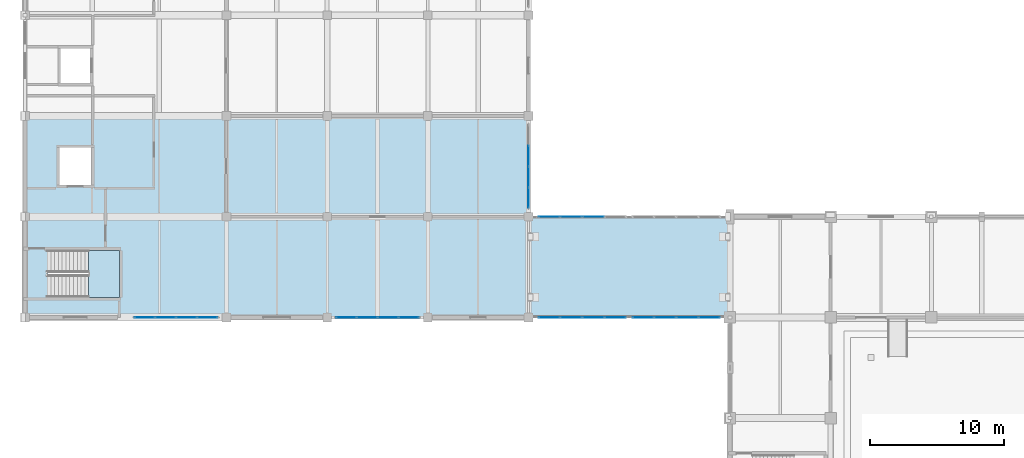
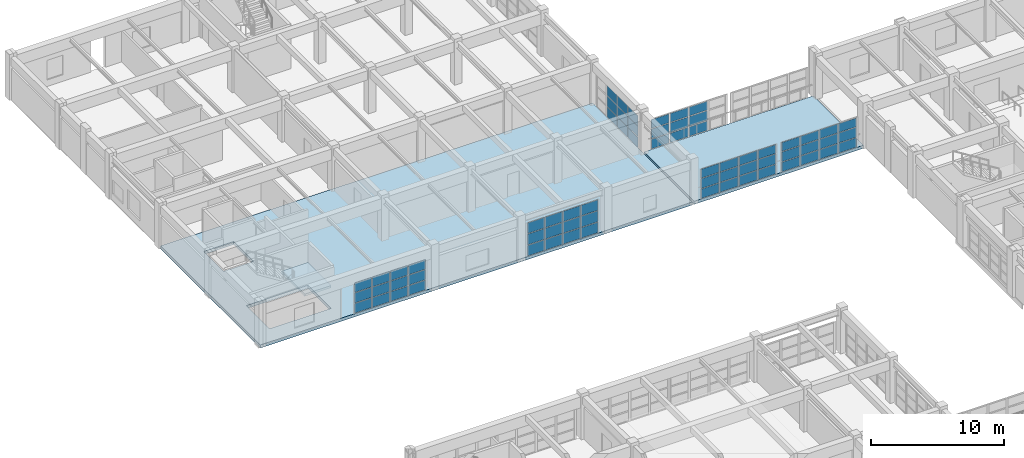
# One storey, part 88 of 132: 66 plates, 3 slabs, 7 elements without a shape of their own.
"""IFC4 building model written with IfcOpenShell, lengths in metres."""

import ifcopenshell
import ifcopenshell.guid

model = None  # the IFC model being written
_history = None  # IfcOwnerHistory: only IFC2X3 demands one
_inside = {}  # id of a spatial element -> (the spatial element, [elements in it])
_under = {}  # id of a project, library or spatial element -> (it, [spatial elements below it])
_declared = {}  # id of a project -> (the project, [libraries it declares])
_typed = {}  # id of a type object -> (the type object, [elements of that type])
_made_of = {}  # id of a material, layer set ... -> (it, [elements and type objects made of it])


def new_model(schema):
    """Start an empty IFC model of exactly this schema.

    Asked for "IFC4X3", IfcOpenShell would pick the latest addendum, in which some entities
    have other attributes; the version numbers below select the first issue.
    IFC2X3 requires an IfcOwnerHistory on every rooted entity: one is made here for all.
    """
    global model, _history
    if schema == "IFC4X3":
        model = ifcopenshell.file(schema_version=(4, 3, 0, 0))
    else:
        model = ifcopenshell.file(schema=schema)
    _inside.clear()
    _under.clear()
    _declared.clear()
    _typed.clear()
    _made_of.clear()
    _history = None
    if model.schema == "IFC2X3":
        org = make("IfcOrganization", Name="unknown")
        user = make(
            "IfcPersonAndOrganization",
            ThePerson=make("IfcPerson", FamilyName="unknown"),
            TheOrganization=org,
        )
        app = make(
            "IfcApplication",
            ApplicationDeveloper=org,
            Version="unknown",
            ApplicationFullName="unknown",
            ApplicationIdentifier="unknown",
        )
        _history = make(
            "IfcOwnerHistory",
            OwningUser=user,
            OwningApplication=app,
            ChangeAction="ADDED",
            CreationDate=0,
        )
    return model


def make(cls, **values):
    """One entity of the class cls with the attributes given. An attribute that is None is left unset."""
    return model.create_entity(
        cls, **{name: value for name, value in values.items() if value is not None}
    )


def rooted(cls, **values):
    """An entity with a GlobalId (a new one), such as an element, a storey or a relation."""
    return make(cls, GlobalId=ifcopenshell.guid.new(), OwnerHistory=_history, **values)


def si_unit(unit_type, name, prefix=None):
    """IfcSIUnit, for example si_unit("LENGTHUNIT", "METRE", prefix="MILLI")."""
    return make("IfcSIUnit", UnitType=unit_type, Prefix=prefix, Name=name)


def assignment(units):
    """IfcUnitAssignment: the units of a project."""
    return None if units is None else make("IfcUnitAssignment", Units=units)


def point(xyz):
    """IfcCartesianPoint."""
    return None if xyz is None else make("IfcCartesianPoint", Coordinates=xyz)


def direction(xyz):
    """IfcDirection."""
    return None if xyz is None else make("IfcDirection", DirectionRatios=xyz)


def frame(location, z_axis=None, x_axis=None):
    """IfcAxis2Placement3D, a coordinate frame: its origin and axes. An axis left out is left unset."""
    return make(
        "IfcAxis2Placement3D",
        Location=point(location),
        Axis=direction(z_axis),
        RefDirection=direction(x_axis),
    )


def frame_2d(location, x_axis=None):
    """IfcAxis2Placement2D, a coordinate frame in the plane: its origin and x axis."""
    return make(
        "IfcAxis2Placement2D", Location=point(location), RefDirection=direction(x_axis)
    )


def origin():
    """The frame at (0, 0, 0) with its axes left unset."""
    return frame((0.0, 0.0, 0.0))


def origin_2d():
    """The frame at (0, 0) in the plane with its x axis left unset."""
    return frame_2d((0.0, 0.0))


def place(relative_to, where):
    """IfcLocalPlacement: puts the frame where relative to a parent placement (None: the world)."""
    return make(
        "IfcLocalPlacement", PlacementRelTo=relative_to, RelativePlacement=where
    )


def context(
    kind, dimensions, precision=None, world=None, true_north=None, identifier=None
):
    """IfcGeometricRepresentationContext, for example the 3D "Model" context."""
    return make(
        "IfcGeometricRepresentationContext",
        ContextIdentifier=identifier,
        ContextType=kind,
        CoordinateSpaceDimension=dimensions,
        Precision=precision,
        WorldCoordinateSystem=world,
        TrueNorth=true_north,
    )


def subcontext(parent, identifier, kind, view, scale=None):
    """IfcGeometricRepresentationSubContext, for example "Body" below "Model"."""
    return make(
        "IfcGeometricRepresentationSubContext",
        ContextIdentifier=identifier,
        ContextType=kind,
        ParentContext=parent,
        TargetScale=scale,
        TargetView=view,
    )


def project(units=None, contexts=None):
    """IfcProject with its units and contexts."""
    return rooted(
        "IfcProject",
        Name="project",
        RepresentationContexts=contexts,
        UnitsInContext=assignment(units),
    )


def spatial(cls, under=None, at=None, **own):
    """A site, building, storey or space (cls), placed at a placement, below another one or the project."""
    s = rooted(cls, ObjectPlacement=at, **own)
    if under is not None:
        _under.setdefault(under.id(), (under, []))[1].append(s)
    return s


def polyline(points):
    """IfcPolyline through the points."""
    return make("IfcPolyline", Points=[point(p) for p in points])


def profile(cls, at=None, kind="AREA", **sizes):
    """A parametric profile (cls). Its sizes go by their IFC names, for example OverallWidth=200.0."""
    return make(cls, ProfileType=kind, Position=at, **sizes)


def rectangle(**sizes):
    """IfcRectangleProfileDef."""
    return profile("IfcRectangleProfileDef", **sizes)


def outline(outer, holes=None, kind="AREA"):
    """IfcArbitraryClosedProfileDef: a profile drawn as a closed curve; with holes, ...WithVoids."""
    if holes is None:
        return make("IfcArbitraryClosedProfileDef", ProfileType=kind, OuterCurve=outer)
    return make(
        "IfcArbitraryProfileDefWithVoids",
        ProfileType=kind,
        OuterCurve=outer,
        InnerCurves=holes,
    )


def extrude(swept, where, along, depth):
    """IfcExtrudedAreaSolid: the profile swept, set in the frame where, extruded along a direction by depth."""
    return make(
        "IfcExtrudedAreaSolid",
        SweptArea=swept,
        Position=where,
        ExtrudedDirection=direction(along),
        Depth=depth,
    )


def shape(context_of_items, identifier, shape_type, items):
    """IfcShapeRepresentation: the items that make up one representation, for example the "Body"."""
    return make(
        "IfcShapeRepresentation",
        ContextOfItems=context_of_items,
        RepresentationIdentifier=identifier,
        RepresentationType=shape_type,
        Items=items,
    )


def material(Name=None, Category=None):
    """IfcMaterial."""
    return make("IfcMaterial", Name=Name, Category=Category)


def layer(
    of_material, thickness, ventilated=None, Name=None, Category=None, Priority=None
):
    """IfcMaterialLayer: one layer of a wall or slab, of a material (None: an air gap)."""
    return make(
        "IfcMaterialLayer",
        Material=of_material,
        LayerThickness=thickness,
        IsVentilated=ventilated,
        Name=Name,
        Category=Category,
        Priority=Priority,
    )


def layer_set(layers, Name=None):
    """IfcMaterialLayerSet."""
    return make("IfcMaterialLayerSet", MaterialLayers=layers, LayerSetName=Name)


def made_of(thing, what):
    """Note that an element or type object is made of a material, layer set ...; save() writes the relation."""
    if what is not None:
        _made_of.setdefault(what.id(), (what, []))[1].append(thing)
    return thing


def type_object(cls, material=None, **own):
    """A type object (cls), such as IfcWallType, which elements share."""
    return made_of(rooted(cls, **own), material)


def element(
    cls,
    number,
    at=None,
    inside=None,
    cuts=None,
    type_object=None,
    material=None,
    context=None,
    identifier="Body",
    shape_type=None,
    held_by="IfcProductDefinitionShape",
    body=None,
    shapes=None,
    **own,
):
    """One element of the class cls, such as IfcWall. Its Tag is "e" and its number.

    at: its placement. inside: the storey or other place that contains it. cuts: it is an
    opening in that element (IfcRelVoidsElement). A single representation is given by context,
    identifier, shape_type and body (its items); several are given by shapes. held_by: the class
    of the entity that holds the representations. save() writes the other relations.
    """
    e = rooted(cls, Tag="e%d" % number, ObjectPlacement=at, **own)
    if body is not None:
        shapes = [shape(context, identifier, shape_type, body)]
    if shapes is not None:
        e.Representation = make(held_by, Representations=shapes)
    if inside is not None:
        _inside.setdefault(inside.id(), (inside, []))[1].append(e)
    if cuts is not None:
        rooted(
            "IfcRelVoidsElement", RelatingBuildingElement=cuts, RelatedOpeningElement=e
        )
    if type_object is not None:
        _typed.setdefault(type_object.id(), (type_object, []))[1].append(e)
    return made_of(e, material)


def aggregate(whole, parts):
    """IfcRelAggregates: a whole, such as a stair, and the parts it consists of."""
    return rooted("IfcRelAggregates", RelatingObject=whole, RelatedObjects=parts)


def save(model, path):
    """Write the relations noted so far, then the file.

    IfcRelAggregates (storeys below a building ...), IfcRelContainedInSpatialStructure (elements
    in a storey), IfcRelDefinesByType, IfcRelAssociatesMaterial and IfcRelDeclares: one each for
    every whole, place, type object, material and project.
    """
    for whole, parts in _under.values():
        aggregate(whole, parts)
    for where, things in _inside.values():
        rooted(
            "IfcRelContainedInSpatialStructure",
            RelatedElements=things,
            RelatingStructure=where,
        )
    for kind, things in _typed.values():
        rooted("IfcRelDefinesByType", RelatedObjects=things, RelatingType=kind)
    for what, things in _made_of.values():
        rooted("IfcRelAssociatesMaterial", RelatedObjects=things, RelatingMaterial=what)
    for by, libraries in _declared.values():
        rooted("IfcRelDeclares", RelatingContext=by, RelatedDefinitions=libraries)
    model.write(path)


model = new_model("IFC4")

# Units and contexts
model_context = context("Model", 3, precision=1e-05, world=origin(), true_north=direction((0.0, 1.0)))
body_context = subcontext(model_context, "Body", "Model", "MODEL_VIEW")
ifc_project = project(units=[si_unit("LENGTHUNIT", "METRE"), si_unit("AREAUNIT", "SQUARE_METRE"), si_unit("VOLUMEUNIT", "CUBIC_METRE"), si_unit("PLANEANGLEUNIT", "RADIAN"), si_unit("MASSUNIT", "GRAM", prefix="KILO")], contexts=[model_context])

# Site, building, storey
site_placement = place(None, origin())
site = spatial("IfcSite", under=ifc_project, at=site_placement, CompositionType="ELEMENT")
building_placement = place(site_placement, origin())
building = spatial("IfcBuilding", under=site, at=building_placement, Name="Qasida Concert Hall", CompositionType="ELEMENT")
storey_placement = place(building_placement, frame((0.0, 0.0, 4.800048828125)))
storey = spatial("IfcBuildingStorey", under=building, at=storey_placement, Name="L01", CompositionType="ELEMENT", Elevation=4.800048828125)

# Curtain wall, plates
ifc_material_1 = material(Name="Architectural bronze-anodized aluminium and low-E glass", Category="aluminium")
curtain_wall_type = type_object("IfcCurtainWallType", Name="CW-08", PredefinedType="NOTDEFINED", material=ifc_material_1)
curtain_wall_1_placement = place(storey_placement, origin())
curtain_wall_1 = element("IfcCurtainWall", 1, at=curtain_wall_1_placement, inside=storey, type_object=curtain_wall_type, Name="L01 curtain wall CW-08 0184", PredefinedType="NOTDEFINED")
ifc_material_2 = material(Name="Solar-control low-E double glazing", Category="glass")
ifc_layer_1 = layer(ifc_material_2, 0.02392578125, Name="Solar-control low-E double glazing")
ifc_layer_set_1 = layer_set([ifc_layer_1], Name="Solar-control low-E double glazing")
plate_type = type_object("IfcPlateType", Name="PLT-CWP-5", PredefinedType="CURTAIN_PANEL", material=ifc_layer_set_1)
plate_1_placement = place(storey_placement, frame((8.918701171875, 75.0, 0.06005859375), z_axis=(0.0, 0.0, 1.0), x_axis=(1.0, 0.0, 0.0)))
plate_1 = element("IfcPlate", 2, at=plate_1_placement, type_object=plate_type, Name="CW-08 panel 1.1", PredefinedType="CURTAIN_PANEL", context=body_context, shape_type="SweptSolid", body=[
    extrude(rectangle(XDim=1.467529296875, YDim=0.02392578125, at=origin_2d()), origin(), (0.0, 0.0, 1.0), 0.873291015625),
])
plate_2_placement = place(storey_placement, frame((8.918701171875, 75.0, 0.993408203125), z_axis=(0.0, 0.0, 1.0), x_axis=(1.0, 0.0, 0.0)))
plate_2 = element("IfcPlate", 3, at=plate_2_placement, type_object=plate_type, Name="CW-08 panel 1.2", PredefinedType="CURTAIN_PANEL", context=body_context, shape_type="SweptSolid", body=[
    extrude(rectangle(XDim=1.467529296875, YDim=0.02392578125, at=origin_2d()), origin(), (0.0, 0.0, 1.0), 0.9033203125),
])
plate_3_placement = place(storey_placement, frame((8.918701171875, 75.0, 1.95654296875), z_axis=(0.0, 0.0, 1.0), x_axis=(1.0, 0.0, 0.0)))
plate_3 = element("IfcPlate", 4, at=plate_3_placement, type_object=plate_type, Name="CW-08 panel 1.3", PredefinedType="CURTAIN_PANEL", context=body_context, shape_type="SweptSolid", body=[
    extrude(rectangle(XDim=1.467529296875, YDim=0.02392578125, at=origin_2d()), origin(), (0.0, 0.0, 1.0), 0.873291015625),
])
plate_4_placement = place(storey_placement, frame((10.467529296875, 75.0, 0.06005859375), z_axis=(0.0, 0.0, 1.0), x_axis=(1.0, 0.0, 0.0)))
plate_4 = element("IfcPlate", 5, at=plate_4_placement, type_object=plate_type, Name="CW-08 panel 2.1", PredefinedType="CURTAIN_PANEL", context=body_context, shape_type="SweptSolid", body=[
    extrude(rectangle(XDim=1.5, YDim=0.02392578125, at=origin_2d()), origin(), (0.0, 0.0, 1.0), 0.873291015625),
])
plate_5_placement = place(storey_placement, frame((10.467529296875, 75.0, 0.993408203125), z_axis=(0.0, 0.0, 1.0), x_axis=(1.0, 0.0, 0.0)))
plate_5 = element("IfcPlate", 6, at=plate_5_placement, type_object=plate_type, Name="CW-08 panel 2.2", PredefinedType="CURTAIN_PANEL", context=body_context, shape_type="SweptSolid", body=[
    extrude(rectangle(XDim=1.5, YDim=0.02392578125, at=origin_2d()), origin(), (0.0, 0.0, 1.0), 0.9033203125),
])
plate_6_placement = place(storey_placement, frame((10.467529296875, 75.0, 1.95654296875), z_axis=(0.0, 0.0, 1.0), x_axis=(1.0, 0.0, 0.0)))
plate_6 = element("IfcPlate", 7, at=plate_6_placement, type_object=plate_type, Name="CW-08 panel 2.3", PredefinedType="CURTAIN_PANEL", context=body_context, shape_type="SweptSolid", body=[
    extrude(rectangle(XDim=1.5, YDim=0.02392578125, at=origin_2d()), origin(), (0.0, 0.0, 1.0), 0.873291015625),
])
plate_7_placement = place(storey_placement, frame((12.032470703125, 75.0, 0.06005859375), z_axis=(0.0, 0.0, 1.0), x_axis=(1.0, 0.0, 0.0)))
plate_7 = element("IfcPlate", 8, at=plate_7_placement, type_object=plate_type, Name="CW-08 panel 3.1", PredefinedType="CURTAIN_PANEL", context=body_context, shape_type="SweptSolid", body=[
    extrude(rectangle(XDim=1.5, YDim=0.02392578125, at=origin_2d()), origin(), (0.0, 0.0, 1.0), 0.873291015625),
])
plate_8_placement = place(storey_placement, frame((12.032470703125, 75.0, 0.993408203125), z_axis=(0.0, 0.0, 1.0), x_axis=(1.0, 0.0, 0.0)))
plate_8 = element("IfcPlate", 9, at=plate_8_placement, type_object=plate_type, Name="CW-08 panel 3.2", PredefinedType="CURTAIN_PANEL", context=body_context, shape_type="SweptSolid", body=[
    extrude(rectangle(XDim=1.5, YDim=0.02392578125, at=origin_2d()), origin(), (0.0, 0.0, 1.0), 0.9033203125),
])
plate_9_placement = place(storey_placement, frame((12.032470703125, 75.0, 1.95654296875), z_axis=(0.0, 0.0, 1.0), x_axis=(1.0, 0.0, 0.0)))
plate_9 = element("IfcPlate", 10, at=plate_9_placement, type_object=plate_type, Name="CW-08 panel 3.3", PredefinedType="CURTAIN_PANEL", context=body_context, shape_type="SweptSolid", body=[
    extrude(rectangle(XDim=1.5, YDim=0.02392578125, at=origin_2d()), origin(), (0.0, 0.0, 1.0), 0.873291015625),
])
plate_10_placement = place(storey_placement, frame((13.581298828125, 75.0, 0.06005859375), z_axis=(0.0, 0.0, 1.0), x_axis=(1.0, 0.0, 0.0)))
plate_10 = element("IfcPlate", 11, at=plate_10_placement, type_object=plate_type, Name="CW-08 panel 4.1", PredefinedType="CURTAIN_PANEL", context=body_context, shape_type="SweptSolid", body=[
    extrude(rectangle(XDim=1.467529296875, YDim=0.02392578125, at=origin_2d()), origin(), (0.0, 0.0, 1.0), 0.873291015625),
])
plate_11_placement = place(storey_placement, frame((13.581298828125, 75.0, 0.993408203125), z_axis=(0.0, 0.0, 1.0), x_axis=(1.0, 0.0, 0.0)))
plate_11 = element("IfcPlate", 12, at=plate_11_placement, type_object=plate_type, Name="CW-08 panel 4.2", PredefinedType="CURTAIN_PANEL", context=body_context, shape_type="SweptSolid", body=[
    extrude(rectangle(XDim=1.467529296875, YDim=0.02392578125, at=origin_2d()), origin(), (0.0, 0.0, 1.0), 0.9033203125),
])
plate_12_placement = place(storey_placement, frame((13.581298828125, 75.0, 1.95654296875), z_axis=(0.0, 0.0, 1.0), x_axis=(1.0, 0.0, 0.0)))
plate_12 = element("IfcPlate", 13, at=plate_12_placement, type_object=plate_type, Name="CW-08 panel 4.3", PredefinedType="CURTAIN_PANEL", context=body_context, shape_type="SweptSolid", body=[
    extrude(rectangle(XDim=1.467529296875, YDim=0.02392578125, at=origin_2d()), origin(), (0.0, 0.0, 1.0), 0.873291015625),
])
aggregate(curtain_wall_1, [plate_1, plate_2, plate_3, plate_4, plate_5, plate_6, plate_7, plate_8, plate_9, plate_10, plate_11, plate_12])

curtain_wall_2_placement = place(storey_placement, origin())
curtain_wall_2 = element("IfcCurtainWall", 14, at=curtain_wall_2_placement, inside=storey, type_object=curtain_wall_type, Name="L01 curtain wall CW-08 0185", PredefinedType="NOTDEFINED")
plate_13_placement = place(storey_placement, frame((23.918701171875, 75.0, 0.06005859375), z_axis=(0.0, 0.0, 1.0), x_axis=(1.0, 0.0, 0.0)))
plate_13 = element("IfcPlate", 15, at=plate_13_placement, type_object=plate_type, Name="CW-08 panel 1.1", PredefinedType="CURTAIN_PANEL", context=body_context, shape_type="SweptSolid", body=[
    extrude(rectangle(XDim=1.467529296875, YDim=0.02392578125, at=origin_2d()), origin(), (0.0, 0.0, 1.0), 0.956787109375),
])
plate_14_placement = place(storey_placement, frame((23.918701171875, 75.0, 1.07666015625), z_axis=(0.0, 0.0, 1.0), x_axis=(1.0, 0.0, 0.0)))
plate_14 = element("IfcPlate", 16, at=plate_14_placement, type_object=plate_type, Name="CW-08 panel 1.2", PredefinedType="CURTAIN_PANEL", context=body_context, shape_type="SweptSolid", body=[
    extrude(rectangle(XDim=1.467529296875, YDim=0.02392578125, at=origin_2d()), origin(), (0.0, 0.0, 1.0), 0.986572265625),
])
plate_15_placement = place(storey_placement, frame((23.918701171875, 75.0, 2.123046875), z_axis=(0.0, 0.0, 1.0), x_axis=(1.0, 0.0, 0.0)))
plate_15 = element("IfcPlate", 17, at=plate_15_placement, type_object=plate_type, Name="CW-08 panel 1.3", PredefinedType="CURTAIN_PANEL", context=body_context, shape_type="SweptSolid", body=[
    extrude(rectangle(XDim=1.467529296875, YDim=0.02392578125, at=origin_2d()), origin(), (0.0, 0.0, 1.0), 0.956787109375),
])
plate_16_placement = place(storey_placement, frame((25.467529296875, 75.0, 0.06005859375), z_axis=(0.0, 0.0, 1.0), x_axis=(1.0, 0.0, 0.0)))
plate_16 = element("IfcPlate", 18, at=plate_16_placement, type_object=plate_type, Name="CW-08 panel 2.1", PredefinedType="CURTAIN_PANEL", context=body_context, shape_type="SweptSolid", body=[
    extrude(rectangle(XDim=1.5, YDim=0.02392578125, at=origin_2d()), origin(), (0.0, 0.0, 1.0), 0.956787109375),
])
plate_17_placement = place(storey_placement, frame((25.467529296875, 75.0, 1.07666015625), z_axis=(0.0, 0.0, 1.0), x_axis=(1.0, 0.0, 0.0)))
plate_17 = element("IfcPlate", 19, at=plate_17_placement, type_object=plate_type, Name="CW-08 panel 2.2", PredefinedType="CURTAIN_PANEL", context=body_context, shape_type="SweptSolid", body=[
    extrude(rectangle(XDim=1.5, YDim=0.02392578125, at=origin_2d()), origin(), (0.0, 0.0, 1.0), 0.986572265625),
])
plate_18_placement = place(storey_placement, frame((25.467529296875, 75.0, 2.123046875), z_axis=(0.0, 0.0, 1.0), x_axis=(1.0, 0.0, 0.0)))
plate_18 = element("IfcPlate", 20, at=plate_18_placement, type_object=plate_type, Name="CW-08 panel 2.3", PredefinedType="CURTAIN_PANEL", context=body_context, shape_type="SweptSolid", body=[
    extrude(rectangle(XDim=1.5, YDim=0.02392578125, at=origin_2d()), origin(), (0.0, 0.0, 1.0), 0.956787109375),
])
plate_19_placement = place(storey_placement, frame((27.032470703125, 75.0, 0.06005859375), z_axis=(0.0, 0.0, 1.0), x_axis=(1.0, 0.0, 0.0)))
plate_19 = element("IfcPlate", 21, at=plate_19_placement, type_object=plate_type, Name="CW-08 panel 3.1", PredefinedType="CURTAIN_PANEL", context=body_context, shape_type="SweptSolid", body=[
    extrude(rectangle(XDim=1.5, YDim=0.02392578125, at=origin_2d()), origin(), (0.0, 0.0, 1.0), 0.956787109375),
])
plate_20_placement = place(storey_placement, frame((27.032470703125, 75.0, 1.07666015625), z_axis=(0.0, 0.0, 1.0), x_axis=(1.0, 0.0, 0.0)))
plate_20 = element("IfcPlate", 22, at=plate_20_placement, type_object=plate_type, Name="CW-08 panel 3.2", PredefinedType="CURTAIN_PANEL", context=body_context, shape_type="SweptSolid", body=[
    extrude(rectangle(XDim=1.5, YDim=0.02392578125, at=origin_2d()), origin(), (0.0, 0.0, 1.0), 0.986572265625),
])
plate_21_placement = place(storey_placement, frame((27.032470703125, 75.0, 2.123046875), z_axis=(0.0, 0.0, 1.0), x_axis=(1.0, 0.0, 0.0)))
plate_21 = element("IfcPlate", 23, at=plate_21_placement, type_object=plate_type, Name="CW-08 panel 3.3", PredefinedType="CURTAIN_PANEL", context=body_context, shape_type="SweptSolid", body=[
    extrude(rectangle(XDim=1.5, YDim=0.02392578125, at=origin_2d()), origin(), (0.0, 0.0, 1.0), 0.956787109375),
])
plate_22_placement = place(storey_placement, frame((28.581298828125, 75.0, 0.06005859375), z_axis=(0.0, 0.0, 1.0), x_axis=(1.0, 0.0, 0.0)))
plate_22 = element("IfcPlate", 24, at=plate_22_placement, type_object=plate_type, Name="CW-08 panel 4.1", PredefinedType="CURTAIN_PANEL", context=body_context, shape_type="SweptSolid", body=[
    extrude(rectangle(XDim=1.467529296875, YDim=0.02392578125, at=origin_2d()), origin(), (0.0, 0.0, 1.0), 0.956787109375),
])
plate_23_placement = place(storey_placement, frame((28.581298828125, 75.0, 1.07666015625), z_axis=(0.0, 0.0, 1.0), x_axis=(1.0, 0.0, 0.0)))
plate_23 = element("IfcPlate", 25, at=plate_23_placement, type_object=plate_type, Name="CW-08 panel 4.2", PredefinedType="CURTAIN_PANEL", context=body_context, shape_type="SweptSolid", body=[
    extrude(rectangle(XDim=1.467529296875, YDim=0.02392578125, at=origin_2d()), origin(), (0.0, 0.0, 1.0), 0.986572265625),
])
plate_24_placement = place(storey_placement, frame((28.581298828125, 75.0, 2.123046875), z_axis=(0.0, 0.0, 1.0), x_axis=(1.0, 0.0, 0.0)))
plate_24 = element("IfcPlate", 26, at=plate_24_placement, type_object=plate_type, Name="CW-08 panel 4.3", PredefinedType="CURTAIN_PANEL", context=body_context, shape_type="SweptSolid", body=[
    extrude(rectangle(XDim=1.467529296875, YDim=0.02392578125, at=origin_2d()), origin(), (0.0, 0.0, 1.0), 0.956787109375),
])
aggregate(curtain_wall_2, [plate_13, plate_14, plate_15, plate_16, plate_17, plate_18, plate_19, plate_20, plate_21, plate_22, plate_23, plate_24])

curtain_wall_3_placement = place(storey_placement, origin())
curtain_wall_3 = element("IfcCurtainWall", 27, at=curtain_wall_3_placement, inside=storey, type_object=curtain_wall_type, Name="L01 curtain wall CW-08 0186", PredefinedType="NOTDEFINED")
plate_25_placement = place(storey_placement, frame((37.5, 83.918701171875, 0.059814453125), z_axis=(0.0, 0.0, 1.0), x_axis=(0.0, 1.0, 0.0)))
plate_25 = element("IfcPlate", 28, at=plate_25_placement, type_object=plate_type, Name="CW-08 panel 1.1", PredefinedType="CURTAIN_PANEL", context=body_context, shape_type="SweptSolid", body=[
    extrude(rectangle(XDim=1.467529296875, YDim=0.02392578125, at=origin_2d()), origin(), (0.0, 0.0, 1.0), 0.90673828125),
])
plate_26_placement = place(storey_placement, frame((37.5, 83.918701171875, 1.026611328125), z_axis=(0.0, 0.0, 1.0), x_axis=(0.0, 1.0, 0.0)))
plate_26 = element("IfcPlate", 29, at=plate_26_placement, type_object=plate_type, Name="CW-08 panel 1.2", PredefinedType="CURTAIN_PANEL", context=body_context, shape_type="SweptSolid", body=[
    extrude(rectangle(XDim=1.467529296875, YDim=0.02392578125, at=origin_2d()), origin(), (0.0, 0.0, 1.0), 0.9365234375),
])
plate_27_placement = place(storey_placement, frame((37.5, 83.918701171875, 2.023193359375), z_axis=(0.0, 0.0, 1.0), x_axis=(0.0, 1.0, 0.0)))
plate_27 = element("IfcPlate", 30, at=plate_27_placement, type_object=plate_type, Name="CW-08 panel 1.3", PredefinedType="CURTAIN_PANEL", context=body_context, shape_type="SweptSolid", body=[
    extrude(rectangle(XDim=1.467529296875, YDim=0.02392578125, at=origin_2d()), origin(), (0.0, 0.0, 1.0), 0.90673828125),
])
plate_28_placement = place(storey_placement, frame((37.5, 85.467529296875, 0.059814453125), z_axis=(0.0, 0.0, 1.0), x_axis=(0.0, 1.0, 0.0)))
plate_28 = element("IfcPlate", 31, at=plate_28_placement, type_object=plate_type, Name="CW-08 panel 2.1", PredefinedType="CURTAIN_PANEL", context=body_context, shape_type="SweptSolid", body=[
    extrude(rectangle(XDim=1.5, YDim=0.02392578125, at=origin_2d()), origin(), (0.0, 0.0, 1.0), 0.90673828125),
])
plate_29_placement = place(storey_placement, frame((37.5, 85.467529296875, 1.026611328125), z_axis=(0.0, 0.0, 1.0), x_axis=(0.0, 1.0, 0.0)))
plate_29 = element("IfcPlate", 32, at=plate_29_placement, type_object=plate_type, Name="CW-08 panel 2.2", PredefinedType="CURTAIN_PANEL", context=body_context, shape_type="SweptSolid", body=[
    extrude(rectangle(XDim=1.5, YDim=0.02392578125, at=origin_2d()), origin(), (0.0, 0.0, 1.0), 0.9365234375),
])
plate_30_placement = place(storey_placement, frame((37.5, 85.467529296875, 2.023193359375), z_axis=(0.0, 0.0, 1.0), x_axis=(0.0, 1.0, 0.0)))
plate_30 = element("IfcPlate", 33, at=plate_30_placement, type_object=plate_type, Name="CW-08 panel 2.3", PredefinedType="CURTAIN_PANEL", context=body_context, shape_type="SweptSolid", body=[
    extrude(rectangle(XDim=1.5, YDim=0.02392578125, at=origin_2d()), origin(), (0.0, 0.0, 1.0), 0.90673828125),
])
plate_31_placement = place(storey_placement, frame((37.5, 87.032470703125, 0.059814453125), z_axis=(0.0, 0.0, 1.0), x_axis=(0.0, 1.0, 0.0)))
plate_31 = element("IfcPlate", 34, at=plate_31_placement, type_object=plate_type, Name="CW-08 panel 3.1", PredefinedType="CURTAIN_PANEL", context=body_context, shape_type="SweptSolid", body=[
    extrude(rectangle(XDim=1.5, YDim=0.02392578125, at=origin_2d()), origin(), (0.0, 0.0, 1.0), 0.90673828125),
])
plate_32_placement = place(storey_placement, frame((37.5, 87.032470703125, 1.026611328125), z_axis=(0.0, 0.0, 1.0), x_axis=(0.0, 1.0, 0.0)))
plate_32 = element("IfcPlate", 35, at=plate_32_placement, type_object=plate_type, Name="CW-08 panel 3.2", PredefinedType="CURTAIN_PANEL", context=body_context, shape_type="SweptSolid", body=[
    extrude(rectangle(XDim=1.5, YDim=0.02392578125, at=origin_2d()), origin(), (0.0, 0.0, 1.0), 0.9365234375),
])
plate_33_placement = place(storey_placement, frame((37.5, 87.032470703125, 2.023193359375), z_axis=(0.0, 0.0, 1.0), x_axis=(0.0, 1.0, 0.0)))
plate_33 = element("IfcPlate", 36, at=plate_33_placement, type_object=plate_type, Name="CW-08 panel 3.3", PredefinedType="CURTAIN_PANEL", context=body_context, shape_type="SweptSolid", body=[
    extrude(rectangle(XDim=1.5, YDim=0.02392578125, at=origin_2d()), origin(), (0.0, 0.0, 1.0), 0.90673828125),
])
aggregate(curtain_wall_3, [plate_25, plate_26, plate_27, plate_28, plate_29, plate_30, plate_31, plate_32, plate_33])

curtain_wall_4_placement = place(storey_placement, origin())
curtain_wall_4 = element("IfcCurtainWall", 37, at=curtain_wall_4_placement, inside=storey, type_object=curtain_wall_type, Name="L01 link bridge glazing 0214", PredefinedType="NOTDEFINED")
plate_34_placement = place(storey_placement, frame((39.041259765625, 75.0, 0.06005859375), z_axis=(0.0, 0.0, 1.0), x_axis=(1.0, 0.0, 0.0)))
plate_34 = element("IfcPlate", 38, at=plate_34_placement, type_object=plate_type, Name="CW-08 panel 1.1", PredefinedType="CURTAIN_PANEL", context=body_context, shape_type="SweptSolid", body=[
    extrude(rectangle(XDim=1.552490234375, YDim=0.02392578125, at=origin_2d()), origin(), (0.0, 0.0, 1.0), 0.860107421875),
])
plate_35_placement = place(storey_placement, frame((39.041259765625, 75.0, 0.97998046875), z_axis=(0.0, 0.0, 1.0), x_axis=(1.0, 0.0, 0.0)))
plate_35 = element("IfcPlate", 39, at=plate_35_placement, type_object=plate_type, Name="CW-08 panel 1.2", PredefinedType="CURTAIN_PANEL", context=body_context, shape_type="SweptSolid", body=[
    extrude(rectangle(XDim=1.552490234375, YDim=0.02392578125, at=origin_2d()), origin(), (0.0, 0.0, 1.0), 0.889892578125),
])
plate_36_placement = place(storey_placement, frame((39.041259765625, 75.0, 1.929931640625), z_axis=(0.0, 0.0, 1.0), x_axis=(1.0, 0.0, 0.0)))
plate_36 = element("IfcPlate", 40, at=plate_36_placement, type_object=plate_type, Name="CW-08 panel 1.3", PredefinedType="CURTAIN_PANEL", context=body_context, shape_type="SweptSolid", body=[
    extrude(rectangle(XDim=1.552490234375, YDim=0.02392578125, at=origin_2d()), origin(), (0.0, 0.0, 1.0), 0.81005859375),
])
plate_37_placement = place(storey_placement, frame((40.675048828125, 75.0, 0.06005859375), z_axis=(0.0, 0.0, 1.0), x_axis=(1.0, 0.0, 0.0)))
plate_37 = element("IfcPlate", 41, at=plate_37_placement, type_object=plate_type, Name="CW-08 panel 2.1", PredefinedType="CURTAIN_PANEL", context=body_context, shape_type="SweptSolid", body=[
    extrude(rectangle(XDim=1.5849609375, YDim=0.02392578125, at=origin_2d()), origin(), (0.0, 0.0, 1.0), 0.860107421875),
])
plate_38_placement = place(storey_placement, frame((40.675048828125, 75.0, 0.97998046875), z_axis=(0.0, 0.0, 1.0), x_axis=(1.0, 0.0, 0.0)))
plate_38 = element("IfcPlate", 42, at=plate_38_placement, type_object=plate_type, Name="CW-08 panel 2.2", PredefinedType="CURTAIN_PANEL", context=body_context, shape_type="SweptSolid", body=[
    extrude(rectangle(XDim=1.5849609375, YDim=0.02392578125, at=origin_2d()), origin(), (0.0, 0.0, 1.0), 0.889892578125),
])
plate_39_placement = place(storey_placement, frame((40.675048828125, 75.0, 1.929931640625), z_axis=(0.0, 0.0, 1.0), x_axis=(1.0, 0.0, 0.0)))
plate_39 = element("IfcPlate", 43, at=plate_39_placement, type_object=plate_type, Name="CW-08 panel 2.3", PredefinedType="CURTAIN_PANEL", context=body_context, shape_type="SweptSolid", body=[
    extrude(rectangle(XDim=1.5849609375, YDim=0.02392578125, at=origin_2d()), origin(), (0.0, 0.0, 1.0), 0.81005859375),
])
plate_40_placement = place(storey_placement, frame((42.324951171875, 75.0, 0.06005859375), z_axis=(0.0, 0.0, 1.0), x_axis=(1.0, 0.0, 0.0)))
plate_40 = element("IfcPlate", 44, at=plate_40_placement, type_object=plate_type, Name="CW-08 panel 3.1", PredefinedType="CURTAIN_PANEL", context=body_context, shape_type="SweptSolid", body=[
    extrude(rectangle(XDim=1.5849609375, YDim=0.02392578125, at=origin_2d()), origin(), (0.0, 0.0, 1.0), 0.860107421875),
])
plate_41_placement = place(storey_placement, frame((42.324951171875, 75.0, 0.97998046875), z_axis=(0.0, 0.0, 1.0), x_axis=(1.0, 0.0, 0.0)))
plate_41 = element("IfcPlate", 45, at=plate_41_placement, type_object=plate_type, Name="CW-08 panel 3.2", PredefinedType="CURTAIN_PANEL", context=body_context, shape_type="SweptSolid", body=[
    extrude(rectangle(XDim=1.5849609375, YDim=0.02392578125, at=origin_2d()), origin(), (0.0, 0.0, 1.0), 0.889892578125),
])
plate_42_placement = place(storey_placement, frame((42.324951171875, 75.0, 1.929931640625), z_axis=(0.0, 0.0, 1.0), x_axis=(1.0, 0.0, 0.0)))
plate_42 = element("IfcPlate", 46, at=plate_42_placement, type_object=plate_type, Name="CW-08 panel 3.3", PredefinedType="CURTAIN_PANEL", context=body_context, shape_type="SweptSolid", body=[
    extrude(rectangle(XDim=1.5849609375, YDim=0.02392578125, at=origin_2d()), origin(), (0.0, 0.0, 1.0), 0.81005859375),
])
plate_43_placement = place(storey_placement, frame((43.958740234375, 75.0, 0.06005859375), z_axis=(0.0, 0.0, 1.0), x_axis=(1.0, 0.0, 0.0)))
plate_43 = element("IfcPlate", 47, at=plate_43_placement, type_object=plate_type, Name="CW-08 panel 4.1", PredefinedType="CURTAIN_PANEL", context=body_context, shape_type="SweptSolid", body=[
    extrude(rectangle(XDim=1.552490234375, YDim=0.02392578125, at=origin_2d()), origin(), (0.0, 0.0, 1.0), 0.860107421875),
])
plate_44_placement = place(storey_placement, frame((43.958740234375, 75.0, 0.97998046875), z_axis=(0.0, 0.0, 1.0), x_axis=(1.0, 0.0, 0.0)))
plate_44 = element("IfcPlate", 48, at=plate_44_placement, type_object=plate_type, Name="CW-08 panel 4.2", PredefinedType="CURTAIN_PANEL", context=body_context, shape_type="SweptSolid", body=[
    extrude(rectangle(XDim=1.552490234375, YDim=0.02392578125, at=origin_2d()), origin(), (0.0, 0.0, 1.0), 0.889892578125),
])
plate_45_placement = place(storey_placement, frame((43.958740234375, 75.0, 1.929931640625), z_axis=(0.0, 0.0, 1.0), x_axis=(1.0, 0.0, 0.0)))
plate_45 = element("IfcPlate", 49, at=plate_45_placement, type_object=plate_type, Name="CW-08 panel 4.3", PredefinedType="CURTAIN_PANEL", context=body_context, shape_type="SweptSolid", body=[
    extrude(rectangle(XDim=1.552490234375, YDim=0.02392578125, at=origin_2d()), origin(), (0.0, 0.0, 1.0), 0.81005859375),
])
aggregate(curtain_wall_4, [plate_34, plate_35, plate_36, plate_37, plate_38, plate_39, plate_40, plate_41, plate_42, plate_43, plate_44, plate_45])

curtain_wall_5_placement = place(storey_placement, origin())
curtain_wall_5 = element("IfcCurtainWall", 50, at=curtain_wall_5_placement, inside=storey, type_object=curtain_wall_type, Name="L01 link bridge glazing 0215", PredefinedType="NOTDEFINED")
plate_46_placement = place(storey_placement, frame((39.041259765625, 82.5, 0.06005859375), z_axis=(0.0, 0.0, 1.0), x_axis=(1.0, 0.0, 0.0)))
plate_46 = element("IfcPlate", 51, at=plate_46_placement, type_object=plate_type, Name="CW-08 panel 1.1", PredefinedType="CURTAIN_PANEL", context=body_context, shape_type="SweptSolid", body=[
    extrude(rectangle(XDim=1.552490234375, YDim=0.02392578125, at=origin_2d()), origin(), (0.0, 0.0, 1.0), 0.860107421875),
])
plate_47_placement = place(storey_placement, frame((39.041259765625, 82.5, 0.97998046875), z_axis=(0.0, 0.0, 1.0), x_axis=(1.0, 0.0, 0.0)))
plate_47 = element("IfcPlate", 52, at=plate_47_placement, type_object=plate_type, Name="CW-08 panel 1.2", PredefinedType="CURTAIN_PANEL", context=body_context, shape_type="SweptSolid", body=[
    extrude(rectangle(XDim=1.552490234375, YDim=0.02392578125, at=origin_2d()), origin(), (0.0, 0.0, 1.0), 0.889892578125),
])
plate_48_placement = place(storey_placement, frame((39.041259765625, 82.5, 1.929931640625), z_axis=(0.0, 0.0, 1.0), x_axis=(1.0, 0.0, 0.0)))
plate_48 = element("IfcPlate", 53, at=plate_48_placement, type_object=plate_type, Name="CW-08 panel 1.3", PredefinedType="CURTAIN_PANEL", context=body_context, shape_type="SweptSolid", body=[
    extrude(rectangle(XDim=1.552490234375, YDim=0.02392578125, at=origin_2d()), origin(), (0.0, 0.0, 1.0), 0.81005859375),
])
plate_49_placement = place(storey_placement, frame((40.675048828125, 82.5, 0.06005859375), z_axis=(0.0, 0.0, 1.0), x_axis=(1.0, 0.0, 0.0)))
plate_49 = element("IfcPlate", 54, at=plate_49_placement, type_object=plate_type, Name="CW-08 panel 2.1", PredefinedType="CURTAIN_PANEL", context=body_context, shape_type="SweptSolid", body=[
    extrude(rectangle(XDim=1.5849609375, YDim=0.02392578125, at=origin_2d()), origin(), (0.0, 0.0, 1.0), 0.860107421875),
])
plate_50_placement = place(storey_placement, frame((40.675048828125, 82.5, 0.97998046875), z_axis=(0.0, 0.0, 1.0), x_axis=(1.0, 0.0, 0.0)))
plate_50 = element("IfcPlate", 55, at=plate_50_placement, type_object=plate_type, Name="CW-08 panel 2.2", PredefinedType="CURTAIN_PANEL", context=body_context, shape_type="SweptSolid", body=[
    extrude(rectangle(XDim=1.5849609375, YDim=0.02392578125, at=origin_2d()), origin(), (0.0, 0.0, 1.0), 0.889892578125),
])
plate_51_placement = place(storey_placement, frame((40.675048828125, 82.5, 1.929931640625), z_axis=(0.0, 0.0, 1.0), x_axis=(1.0, 0.0, 0.0)))
plate_51 = element("IfcPlate", 56, at=plate_51_placement, type_object=plate_type, Name="CW-08 panel 2.3", PredefinedType="CURTAIN_PANEL", context=body_context, shape_type="SweptSolid", body=[
    extrude(rectangle(XDim=1.5849609375, YDim=0.02392578125, at=origin_2d()), origin(), (0.0, 0.0, 1.0), 0.81005859375),
])
plate_52_placement = place(storey_placement, frame((42.324951171875, 82.5, 0.06005859375), z_axis=(0.0, 0.0, 1.0), x_axis=(1.0, 0.0, 0.0)))
plate_52 = element("IfcPlate", 57, at=plate_52_placement, type_object=plate_type, Name="CW-08 panel 3.1", PredefinedType="CURTAIN_PANEL", context=body_context, shape_type="SweptSolid", body=[
    extrude(rectangle(XDim=1.5849609375, YDim=0.02392578125, at=origin_2d()), origin(), (0.0, 0.0, 1.0), 0.860107421875),
])
plate_53_placement = place(storey_placement, frame((42.324951171875, 82.5, 0.97998046875), z_axis=(0.0, 0.0, 1.0), x_axis=(1.0, 0.0, 0.0)))
plate_53 = element("IfcPlate", 58, at=plate_53_placement, type_object=plate_type, Name="CW-08 panel 3.2", PredefinedType="CURTAIN_PANEL", context=body_context, shape_type="SweptSolid", body=[
    extrude(rectangle(XDim=1.5849609375, YDim=0.02392578125, at=origin_2d()), origin(), (0.0, 0.0, 1.0), 0.889892578125),
])
plate_54_placement = place(storey_placement, frame((42.324951171875, 82.5, 1.929931640625), z_axis=(0.0, 0.0, 1.0), x_axis=(1.0, 0.0, 0.0)))
plate_54 = element("IfcPlate", 59, at=plate_54_placement, type_object=plate_type, Name="CW-08 panel 3.3", PredefinedType="CURTAIN_PANEL", context=body_context, shape_type="SweptSolid", body=[
    extrude(rectangle(XDim=1.5849609375, YDim=0.02392578125, at=origin_2d()), origin(), (0.0, 0.0, 1.0), 0.81005859375),
])
aggregate(curtain_wall_5, [plate_46, plate_47, plate_48, plate_49, plate_50, plate_51, plate_52, plate_53, plate_54])

curtain_wall_6_placement = place(storey_placement, origin())
curtain_wall_6 = element("IfcCurtainWall", 60, at=curtain_wall_6_placement, inside=storey, type_object=curtain_wall_type, Name="L01 link bridge glazing 0216", PredefinedType="NOTDEFINED")
plate_55_placement = place(storey_placement, frame((46.041259765625, 75.0, 0.06005859375), z_axis=(0.0, 0.0, 1.0), x_axis=(1.0, 0.0, 0.0)))
plate_55 = element("IfcPlate", 61, at=plate_55_placement, type_object=plate_type, Name="CW-08 panel 1.1", PredefinedType="CURTAIN_PANEL", context=body_context, shape_type="SweptSolid", body=[
    extrude(rectangle(XDim=1.552490234375, YDim=0.02392578125, at=origin_2d()), origin(), (0.0, 0.0, 1.0), 0.860107421875),
])
plate_56_placement = place(storey_placement, frame((46.041259765625, 75.0, 0.97998046875), z_axis=(0.0, 0.0, 1.0), x_axis=(1.0, 0.0, 0.0)))
plate_56 = element("IfcPlate", 62, at=plate_56_placement, type_object=plate_type, Name="CW-08 panel 1.2", PredefinedType="CURTAIN_PANEL", context=body_context, shape_type="SweptSolid", body=[
    extrude(rectangle(XDim=1.552490234375, YDim=0.02392578125, at=origin_2d()), origin(), (0.0, 0.0, 1.0), 0.889892578125),
])
plate_57_placement = place(storey_placement, frame((46.041259765625, 75.0, 1.929931640625), z_axis=(0.0, 0.0, 1.0), x_axis=(1.0, 0.0, 0.0)))
plate_57 = element("IfcPlate", 63, at=plate_57_placement, type_object=plate_type, Name="CW-08 panel 1.3", PredefinedType="CURTAIN_PANEL", context=body_context, shape_type="SweptSolid", body=[
    extrude(rectangle(XDim=1.552490234375, YDim=0.02392578125, at=origin_2d()), origin(), (0.0, 0.0, 1.0), 0.81005859375),
])
plate_58_placement = place(storey_placement, frame((47.675048828125, 75.0, 0.06005859375), z_axis=(0.0, 0.0, 1.0), x_axis=(1.0, 0.0, 0.0)))
plate_58 = element("IfcPlate", 64, at=plate_58_placement, type_object=plate_type, Name="CW-08 panel 2.1", PredefinedType="CURTAIN_PANEL", context=body_context, shape_type="SweptSolid", body=[
    extrude(rectangle(XDim=1.5849609375, YDim=0.02392578125, at=origin_2d()), origin(), (0.0, 0.0, 1.0), 0.860107421875),
])
plate_59_placement = place(storey_placement, frame((47.675048828125, 75.0, 0.97998046875), z_axis=(0.0, 0.0, 1.0), x_axis=(1.0, 0.0, 0.0)))
plate_59 = element("IfcPlate", 65, at=plate_59_placement, type_object=plate_type, Name="CW-08 panel 2.2", PredefinedType="CURTAIN_PANEL", context=body_context, shape_type="SweptSolid", body=[
    extrude(rectangle(XDim=1.5849609375, YDim=0.02392578125, at=origin_2d()), origin(), (0.0, 0.0, 1.0), 0.889892578125),
])
plate_60_placement = place(storey_placement, frame((47.675048828125, 75.0, 1.929931640625), z_axis=(0.0, 0.0, 1.0), x_axis=(1.0, 0.0, 0.0)))
plate_60 = element("IfcPlate", 66, at=plate_60_placement, type_object=plate_type, Name="CW-08 panel 2.3", PredefinedType="CURTAIN_PANEL", context=body_context, shape_type="SweptSolid", body=[
    extrude(rectangle(XDim=1.5849609375, YDim=0.02392578125, at=origin_2d()), origin(), (0.0, 0.0, 1.0), 0.81005859375),
])
plate_61_placement = place(storey_placement, frame((49.324951171875, 75.0, 0.06005859375), z_axis=(0.0, 0.0, 1.0), x_axis=(1.0, 0.0, 0.0)))
plate_61 = element("IfcPlate", 67, at=plate_61_placement, type_object=plate_type, Name="CW-08 panel 3.1", PredefinedType="CURTAIN_PANEL", context=body_context, shape_type="SweptSolid", body=[
    extrude(rectangle(XDim=1.5849609375, YDim=0.02392578125, at=origin_2d()), origin(), (0.0, 0.0, 1.0), 0.860107421875),
])
plate_62_placement = place(storey_placement, frame((49.324951171875, 75.0, 0.97998046875), z_axis=(0.0, 0.0, 1.0), x_axis=(1.0, 0.0, 0.0)))
plate_62 = element("IfcPlate", 68, at=plate_62_placement, type_object=plate_type, Name="CW-08 panel 3.2", PredefinedType="CURTAIN_PANEL", context=body_context, shape_type="SweptSolid", body=[
    extrude(rectangle(XDim=1.5849609375, YDim=0.02392578125, at=origin_2d()), origin(), (0.0, 0.0, 1.0), 0.889892578125),
])
plate_63_placement = place(storey_placement, frame((49.324951171875, 75.0, 1.929931640625), z_axis=(0.0, 0.0, 1.0), x_axis=(1.0, 0.0, 0.0)))
plate_63 = element("IfcPlate", 69, at=plate_63_placement, type_object=plate_type, Name="CW-08 panel 3.3", PredefinedType="CURTAIN_PANEL", context=body_context, shape_type="SweptSolid", body=[
    extrude(rectangle(XDim=1.5849609375, YDim=0.02392578125, at=origin_2d()), origin(), (0.0, 0.0, 1.0), 0.81005859375),
])
plate_64_placement = place(storey_placement, frame((50.958740234375, 75.0, 0.06005859375), z_axis=(0.0, 0.0, 1.0), x_axis=(1.0, 0.0, 0.0)))
plate_64 = element("IfcPlate", 70, at=plate_64_placement, type_object=plate_type, Name="CW-08 panel 4.1", PredefinedType="CURTAIN_PANEL", context=body_context, shape_type="SweptSolid", body=[
    extrude(rectangle(XDim=1.552490234375, YDim=0.02392578125, at=origin_2d()), origin(), (0.0, 0.0, 1.0), 0.860107421875),
])
plate_65_placement = place(storey_placement, frame((50.958740234375, 75.0, 0.97998046875), z_axis=(0.0, 0.0, 1.0), x_axis=(1.0, 0.0, 0.0)))
plate_65 = element("IfcPlate", 71, at=plate_65_placement, type_object=plate_type, Name="CW-08 panel 4.2", PredefinedType="CURTAIN_PANEL", context=body_context, shape_type="SweptSolid", body=[
    extrude(rectangle(XDim=1.552490234375, YDim=0.02392578125, at=origin_2d()), origin(), (0.0, 0.0, 1.0), 0.889892578125),
])
plate_66_placement = place(storey_placement, frame((50.958740234375, 75.0, 1.929931640625), z_axis=(0.0, 0.0, 1.0), x_axis=(1.0, 0.0, 0.0)))
plate_66 = element("IfcPlate", 72, at=plate_66_placement, type_object=plate_type, Name="CW-08 panel 4.3", PredefinedType="CURTAIN_PANEL", context=body_context, shape_type="SweptSolid", body=[
    extrude(rectangle(XDim=1.552490234375, YDim=0.02392578125, at=origin_2d()), origin(), (0.0, 0.0, 1.0), 0.81005859375),
])
aggregate(curtain_wall_6, [plate_55, plate_56, plate_57, plate_58, plate_59, plate_60, plate_61, plate_62, plate_63, plate_64, plate_65, plate_66])

# Slabs
ifc_material_3 = material(Name="Concrete C40/50", Category="concrete")
ifc_layer_2 = layer(ifc_material_3, 0.280029296875, Name="Concrete C40/50")
ifc_layer_set_2 = layer_set([ifc_layer_2], Name="Concrete C40/50")
slab_type_1 = type_object("IfcSlabType", Name="SL-FS-280", PredefinedType="FLOOR", material=ifc_layer_set_2)
slab_1_placement = place(storey_placement, frame((0.0, 0.0, -0.280029296875)))
element("IfcSlab", 73, at=slab_1_placement, inside=storey, type_object=slab_type_1, Name="V5 ensemble dressing south (FS-280)", PredefinedType="FLOOR", context=body_context, shape_type="SweptSolid", body=[
    extrude(outline(polyline([(0.0, 75.0), (37.5, 75.0), (37.5, 90.0), (0.0, 90.0), (0.0, 75.0)]), holes=[polyline([(1.659912109375, 76.5), (7.02001953125, 76.5), (7.02001953125, 80.0), (1.659912109375, 80.0), (1.659912109375, 76.5)]), polyline([(2.449951171875, 84.75), (5.050048828125, 84.75), (5.050048828125, 87.75), (2.449951171875, 87.75), (2.449951171875, 84.75)])]), origin(), (0.0, 0.0, 1.0), 0.280029296875),
])
slab_2_placement = place(storey_placement, frame((0.0, 0.0, -0.280029296875)))
element("IfcSlab", 74, at=slab_2_placement, inside=storey, type_object=slab_type_1, Name="Link V5-V1 bridge (FS-280)", PredefinedType="FLOOR", context=body_context, shape_type="SweptSolid", body=[
    extrude(outline(polyline([(37.64990234375, 75.0), (52.35009765625, 75.0), (52.35009765625, 82.5), (37.64990234375, 82.5), (37.64990234375, 75.0)])), origin(), (0.0, 0.0, 1.0), 0.280029296875),
])

# Stair, slab
stair_type = type_object("IfcStairType", Name="ST-DL-165", PredefinedType="HALF_TURN_STAIR", material=ifc_material_3)
stair_placement = place(storey_placement, origin())
stair = element("IfcStair", 75, at=stair_placement, inside=storey, type_object=stair_type, Name="L01 Exit stair ST-05", PredefinedType="HALF_TURN_STAIR")
ifc_layer_3 = layer(ifc_material_3, 0.199951171875, Name="Concrete C40/50")
ifc_layer_set_3 = layer_set([ifc_layer_3], Name="Concrete C40/50")
slab_type_2 = type_object("IfcSlabType", Name="SL-LND-200", PredefinedType="LANDING", material=ifc_layer_set_3)
slab_3_placement = place(storey_placement, frame((0.0, 0.0, 1.89990234375)))
slab_3 = element("IfcSlab", 76, at=slab_3_placement, type_object=slab_type_2, Name="ST-05 landing 1", PredefinedType="LANDING", context=body_context, shape_type="SweptSolid", body=[
    extrude(outline(polyline([(4.72998046875, 76.5), (7.02001953125, 76.5), (7.02001953125, 80.0), (4.72998046875, 80.0), (4.72998046875, 76.5)])), origin(), (0.0, 0.0, 1.0), 0.199951171875),
])
aggregate(stair, [slab_3])

save(model, "model.ifc")
